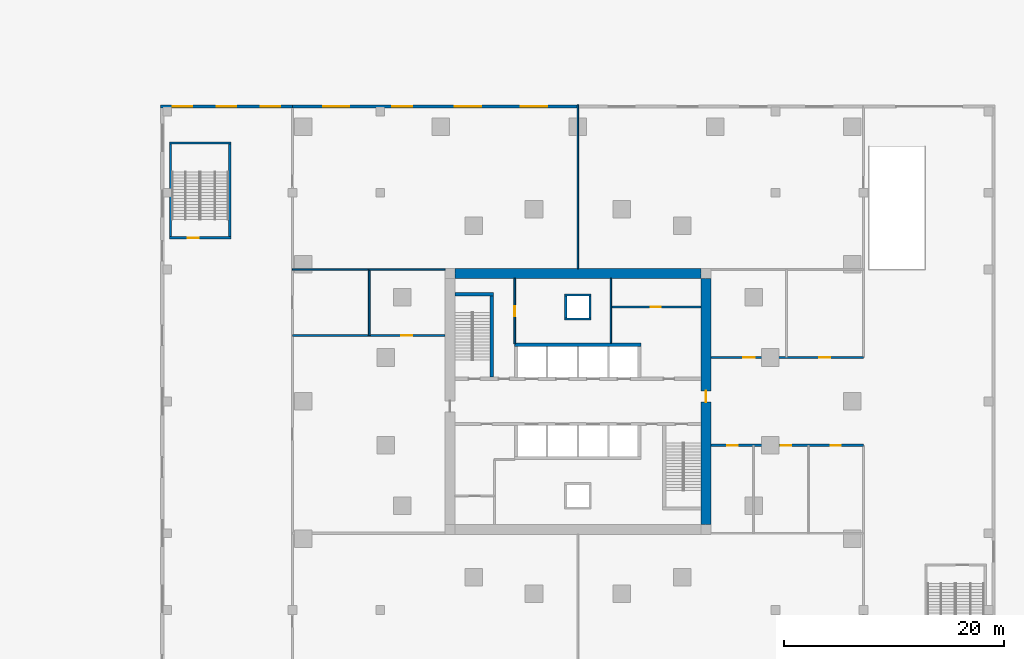
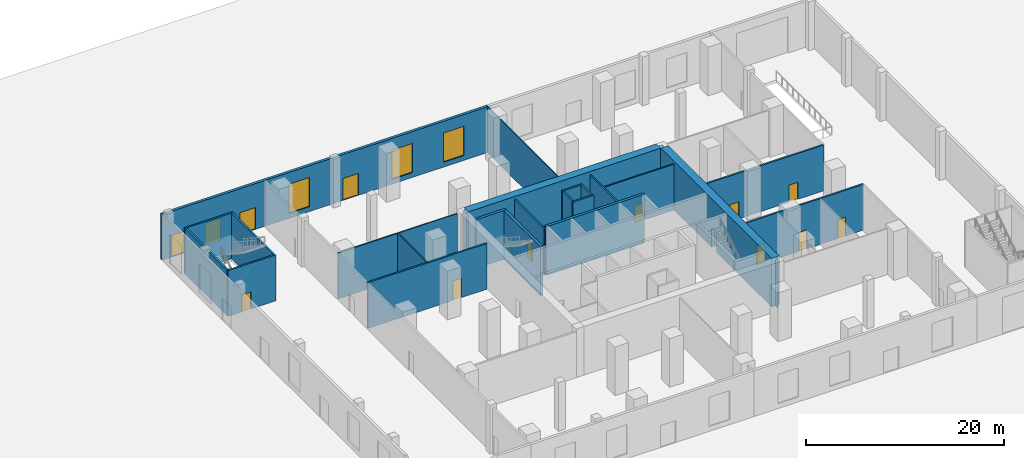
# One storey, part 4 of 8: 25 walls, 14 doors, 3 windows, 17 openings.
"""IFC4 building model written with IfcOpenShell, lengths in metres."""

from ifc_helpers import new_model, si_unit, direction, frame, frame_2d, origin, place, context, subcontext, project, spatial, polyline, rectangle, outline, extrude, material, layer, layer_set, type_object, element, fill, save


model = new_model("IFC4")

# Units and contexts
model_context = context("Model", 3, precision=1e-05, world=origin(), true_north=direction((0.0, 1.0)))
body_context = subcontext(model_context, "Body", "Model", "MODEL_VIEW")
ifc_project = project(units=[si_unit("LENGTHUNIT", "METRE"), si_unit("AREAUNIT", "SQUARE_METRE"), si_unit("VOLUMEUNIT", "CUBIC_METRE"), si_unit("PLANEANGLEUNIT", "RADIAN"), si_unit("MASSUNIT", "GRAM", prefix="KILO")], contexts=[model_context])

# Site, building, storey
site_placement = place(None, origin())
site = spatial("IfcSite", under=ifc_project, at=site_placement, CompositionType="ELEMENT")
building_placement = place(site_placement, origin())
building = spatial("IfcBuilding", under=site, at=building_placement, Name="Torsade Residences", CompositionType="ELEMENT")
storey_placement = place(building_placement, origin())
storey = spatial("IfcBuildingStorey", under=building, at=storey_placement, Name="L00", CompositionType="ELEMENT", Elevation=0.0)

# Walls
ifc_material_1 = material(Name="Concrete 80 MPa", Category="concrete")
ifc_layer_1 = layer(ifc_material_1, 0.300048828125)
ifc_layer_set_1 = layer_set([ifc_layer_1], Name="Concrete 80 MPa")
wall_type_1 = type_object("IfcWallType", Name="CORE INTERNAL WALL 300", PredefinedType="SHEAR", material=ifc_layer_set_1)
wall_1_placement = place(storey_placement, frame((34.25, 35.14990234375, 0.0), z_axis=(0.0, 0.0, 1.0), x_axis=(1.0, 0.0, 0.0)))
element("IfcWall", 1, at=wall_1_placement, inside=storey, type_object=wall_type_1, Name="Core wall BN L00", PredefinedType="SHEAR", context=body_context, shape_type="SweptSolid", body=[
    extrude(rectangle(XDim=11.5, YDim=0.300048828125, at=frame_2d((5.75, 0.0))), origin(), (0.0, 0.0, 1.0), 6.0),
])
wall_2_placement = place(storey_placement, frame((32.14990234375, 32.199951171875, 0.0), z_axis=(0.0, 0.0, 1.0), x_axis=(0.0, 1.0, 0.0)))
element("IfcWall", 2, at=wall_2_placement, inside=storey, type_object=wall_type_1, Name="Core wall ST1E L00", PredefinedType="SHEAR", context=body_context, shape_type="SweptSolid", body=[
    extrude(rectangle(XDim=7.699951171875, YDim=0.300048828125, at=frame_2d((3.85009765625, 0.0))), origin(), (0.0, 0.0, 1.0), 6.0),
])
wall_3_placement = place(storey_placement, frame((28.800048828125, 39.75, 0.0), z_axis=(0.0, 0.0, 1.0), x_axis=(1.0, 0.0, 0.0)))
element("IfcWall", 3, at=wall_3_placement, inside=storey, type_object=wall_type_1, Name="Core wall ST1N L00", PredefinedType="SHEAR", context=body_context, shape_type="SweptSolid", body=[
    extrude(rectangle(XDim=3.5, YDim=0.300048828125, at=frame_2d((1.75, 0.0))), origin(), (0.0, 0.0, 1.0), 6.0),
])
ifc_material_2 = material(Name="Concrete 80 MPa", Category="concrete")
ifc_layer_2 = layer(ifc_material_2, 0.89990234375)
ifc_layer_set_2 = layer_set([ifc_layer_2], Name="Concrete 80 MPa")
wall_type_2 = type_object("IfcWallType", Name="CORE WALL 900", PredefinedType="SHEAR", material=ifc_layer_set_2)
wall_4_placement = place(storey_placement, frame((28.800048828125, 41.64990234375, 0.0), z_axis=(0.0, 0.0, 1.0), x_axis=(1.0, 0.0, 0.0)))
element("IfcWall", 4, at=wall_4_placement, inside=storey, type_object=wall_type_2, Name="Core wall N L00", PredefinedType="SHEAR", context=body_context, shape_type="SweptSolid", body=[
    extrude(outline(polyline([(0.0, -0.449951171875), (22.39990234375, -0.449951171875), (22.39990234375, -0.02490234375), (22.849853515625, -0.02490234375), (22.849853515625, 0.02490234375), (22.39990234375, 0.02490234375), (22.39990234375, 0.449951171875), (0.0, 0.449951171875), (0.0, 0.02490234375), (-0.449951171875, 0.02490234375), (-0.449951171875, -0.02490234375), (0.0, -0.02490234375), (0.0, -0.449951171875)])), origin(), (0.0, 0.0, 1.0), 6.0),
])

# Wall, opening, door
wall_5_placement = place(storey_placement, frame((51.64990234375, 18.800048828125, 0.0), z_axis=(0.0, 0.0, 1.0), x_axis=(0.0, 1.0, 0.0)))
wall_5 = element("IfcWall", 5, at=wall_5_placement, inside=storey, type_object=wall_type_2, Name="Core wall E L00", PredefinedType="SHEAR", context=body_context, shape_type="SweptSolid", body=[
    extrude(outline(polyline([(0.0, -0.449951171875), (22.39990234375, -0.449951171875), (22.39990234375, -0.02490234375), (22.849853515625, -0.02490234375), (22.849853515625, 0.02490234375), (22.39990234375, 0.02490234375), (22.39990234375, 0.449951171875), (0.0, 0.449951171875), (0.0, 0.02490234375), (-0.449951171875, 0.02490234375), (-0.449951171875, -0.02490234375), (0.0, -0.02490234375), (0.0, -0.449951171875)])), origin(), (0.0, 0.0, 1.0), 6.0),
])
opening_1_placement = place(wall_5_placement, frame((11.139892578125, 0.0, 0.0)))
opening_1 = element("IfcOpeningElement", 6, at=opening_1_placement, cuts=wall_5, Name="Opening D04", PredefinedType="OPENING", context=body_context, shape_type="SweptSolid", body=[
    extrude(rectangle(XDim=1.02001953125, YDim=2.39990234375, at=frame_2d((0.510009765625, 1.199951171875))), frame((0.0, 0.4599609375, 0.0), z_axis=(0.0, -1.0, 0.0), x_axis=(1.0, 0.0, 0.0)), (0.0, 0.0, 1.0), 0.919921875),
])
ifc_material_3 = material(Name="Steel-framed fire door", Category="steel")
door_type_1 = type_object("IfcDoorType", Name="LOBBY SMOKE DOOR 1020x2400", OperationType="NOTDEFINED", PredefinedType="DOOR", material=ifc_material_3)
door_1_placement = place(opening_1_placement, origin())
door_1 = element("IfcDoor", 7, at=door_1_placement, inside=storey, type_object=door_type_1, Name="Lift lobby door E L00", OperationType="SINGLE_SWING_LEFT", OverallHeight=2.39990234375, OverallWidth=1.02001953125, PredefinedType="DOOR", context=body_context, shape_type="SweptSolid", body=[
    extrude(rectangle(XDim=1.02001953125, YDim=2.39990234375, at=frame_2d((0.510009765625, 1.199951171875))), frame((0.0, 0.02490234375, 0.0), z_axis=(0.0, -1.0, 0.0), x_axis=(1.0, 0.0, 0.0)), (0.0, 0.0, 1.0), 0.050048828125),
])
fill(opening_1, door_1)

ifc_material_4 = material(Name="Plasterboard on steel stud", Category="steel")
ifc_layer_3 = layer(ifc_material_4, 0.199951171875)
ifc_layer_set_3 = layer_set([ifc_layer_3], Name="Plasterboard on steel stud")
wall_type_3 = type_object("IfcWallType", Name="CORRIDOR WALL 200", PredefinedType="PARTITIONING", material=ifc_layer_set_3)
wall_6_placement = place(storey_placement, frame((14.0, 36.0, 0.0), z_axis=(0.0, 0.0, 1.0), x_axis=(1.0, 0.0, 0.0)))
wall_6 = element("IfcWall", 8, at=wall_6_placement, inside=storey, type_object=wall_type_3, Name="Corridor wall L00", PredefinedType="PARTITIONING", context=body_context, shape_type="SweptSolid", body=[
    extrude(rectangle(XDim=13.89990234375, YDim=0.199951171875, at=frame_2d((6.949951171875, 0.0))), origin(), (0.0, 0.0, 1.0), 5.64990234375),
])
opening_2_placement = place(wall_6_placement, frame((9.9150390625, 0.0, 0.0)))
opening_2 = element("IfcOpeningElement", 9, at=opening_2_placement, cuts=wall_6, Name="Opening D04", PredefinedType="OPENING", context=body_context, shape_type="SweptSolid", body=[
    extrude(rectangle(XDim=1.02001953125, YDim=2.39990234375, at=frame_2d((0.510009765625, 1.199951171875))), frame((0.0, 0.10986328125, 0.0), z_axis=(0.0, -1.0, 0.0), x_axis=(1.0, 0.0, 0.0)), (0.0, 0.0, 1.0), 0.219970703125),
])
door_2_placement = place(opening_2_placement, origin())
door_2 = element("IfcDoor", 10, at=door_2_placement, inside=storey, type_object=door_type_1, Name="Door Residential lobby to Mail room", OperationType="SINGLE_SWING_LEFT", OverallHeight=2.39990234375, OverallWidth=1.02001953125, PredefinedType="DOOR", context=body_context, shape_type="SweptSolid", body=[
    extrude(rectangle(XDim=1.02001953125, YDim=2.39990234375, at=frame_2d((0.510009765625, 1.199951171875))), frame((0.0, 0.02490234375, 0.0), z_axis=(0.0, -1.0, 0.0), x_axis=(1.0, 0.0, 0.0)), (0.0, 0.0, 1.0), 0.050048828125),
])
fill(opening_2, door_2)

# Wall, openings, doors
wall_7_placement = place(storey_placement, frame((66.0, 26.0, 0.0), z_axis=(0.0, 0.0, 1.0), x_axis=(-1.0, 0.0, 0.0)))
wall_7 = element("IfcWall", 11, at=wall_7_placement, inside=storey, type_object=wall_type_3, Name="Corridor wall L00", PredefinedType="PARTITIONING", context=body_context, shape_type="SweptSolid", body=[
    extrude(rectangle(XDim=13.89990234375, YDim=0.199951171875, at=frame_2d((6.949951171875, 0.0))), origin(), (0.0, 0.0, 1.0), 5.64990234375),
])
opening_3_placement = place(wall_7_placement, frame((6.590087890625, 0.0, 0.0)))
opening_3 = element("IfcOpeningElement", 12, at=opening_3_placement, cuts=wall_7, Name="Opening D02", PredefinedType="OPENING", context=body_context, shape_type="SweptSolid", body=[
    extrude(rectangle(XDim=0.919921875, YDim=2.340087890625, at=frame_2d((0.4599609375, 1.169921875))), frame((0.0, 0.10986328125, 0.0), z_axis=(0.0, -1.0, 0.0), x_axis=(1.0, 0.0, 0.0)), (0.0, 0.0, 1.0), 0.219970703125),
])
opening_4_placement = place(wall_7_placement, frame((2.06494140625, 0.0, 0.0)))
opening_4 = element("IfcOpeningElement", 13, at=opening_4_placement, cuts=wall_7, Name="Opening D02", PredefinedType="OPENING", context=body_context, shape_type="SweptSolid", body=[
    extrude(rectangle(XDim=0.919921875, YDim=2.340087890625, at=frame_2d((0.4599609375, 1.169921875))), frame((0.0, 0.10986328125, 0.0), z_axis=(0.0, -1.0, 0.0), x_axis=(1.0, 0.0, 0.0)), (0.0, 0.0, 1.0), 0.219970703125),
])
opening_5_placement = place(wall_7_placement, frame((11.465087890625, 0.0, 0.0)))
opening_5 = element("IfcOpeningElement", 14, at=opening_5_placement, cuts=wall_7, Name="Opening D02", PredefinedType="OPENING", context=body_context, shape_type="SweptSolid", body=[
    extrude(rectangle(XDim=0.919921875, YDim=2.340087890625, at=frame_2d((0.4599609375, 1.169921875))), frame((0.0, 0.10986328125, 0.0), z_axis=(0.0, -1.0, 0.0), x_axis=(1.0, 0.0, 0.0)), (0.0, 0.0, 1.0), 0.219970703125),
])
ifc_material_5 = material(Name="Hollow-core timber door", Category="wood")
door_type_2 = type_object("IfcDoorType", Name="INTERNAL DOOR 920x2340", OperationType="NOTDEFINED", PredefinedType="DOOR", material=ifc_material_5)
door_3_placement = place(opening_3_placement, origin())
door_3 = element("IfcDoor", 15, at=door_3_placement, inside=storey, type_object=door_type_2, Name="Door Back-of-house corridor to Female WC", OperationType="SINGLE_SWING_RIGHT", OverallHeight=2.340087890625, OverallWidth=0.919921875, PredefinedType="DOOR", context=body_context, shape_type="SweptSolid", body=[
    extrude(rectangle(XDim=0.919921875, YDim=2.340087890625, at=frame_2d((0.4599609375, 1.169921875))), frame((0.0, 0.02490234375, 0.0), z_axis=(0.0, -1.0, 0.0), x_axis=(1.0, 0.0, 0.0)), (0.0, 0.0, 1.0), 0.050048828125),
])
fill(opening_3, door_3)
door_4_placement = place(opening_4_placement, origin())
door_4 = element("IfcDoor", 16, at=door_4_placement, inside=storey, type_object=door_type_2, Name="Door Back-of-house corridor to Male WC", OperationType="SINGLE_SWING_RIGHT", OverallHeight=2.340087890625, OverallWidth=0.919921875, PredefinedType="DOOR", context=body_context, shape_type="SweptSolid", body=[
    extrude(rectangle(XDim=0.919921875, YDim=2.340087890625, at=frame_2d((0.4599609375, 1.169921875))), frame((0.0, 0.02490234375, 0.0), z_axis=(0.0, -1.0, 0.0), x_axis=(1.0, 0.0, 0.0)), (0.0, 0.0, 1.0), 0.050048828125),
])
fill(opening_4, door_4)
door_5_placement = place(opening_5_placement, origin())
door_5 = element("IfcDoor", 17, at=door_5_placement, inside=storey, type_object=door_type_2, Name="Door Back-of-house corridor to Accessible WC", OperationType="SINGLE_SWING_LEFT", OverallHeight=2.340087890625, OverallWidth=0.919921875, PredefinedType="DOOR", context=body_context, shape_type="SweptSolid", body=[
    extrude(rectangle(XDim=0.919921875, YDim=2.340087890625, at=frame_2d((0.4599609375, 1.169921875))), frame((0.0, 0.02490234375, 0.0), z_axis=(0.0, -1.0, 0.0), x_axis=(1.0, 0.0, 0.0)), (0.0, 0.0, 1.0), 0.050048828125),
])
fill(opening_5, door_5)

wall_8_placement = place(storey_placement, frame((52.10009765625, 34.0, 0.0), z_axis=(0.0, 0.0, 1.0), x_axis=(1.0, 0.0, 0.0)))
wall_8 = element("IfcWall", 18, at=wall_8_placement, inside=storey, type_object=wall_type_3, Name="Corridor wall L00", PredefinedType="PARTITIONING", context=body_context, shape_type="SweptSolid", body=[
    extrude(rectangle(XDim=13.89990234375, YDim=0.199951171875, at=frame_2d((6.949951171875, 0.0))), origin(), (0.0, 0.0, 1.0), 5.64990234375),
])
opening_6_placement = place(wall_8_placement, frame((9.864990234375, 0.0, 0.0)))
opening_6 = element("IfcOpeningElement", 19, at=opening_6_placement, cuts=wall_8, Name="Opening D03", PredefinedType="OPENING", context=body_context, shape_type="SweptSolid", body=[
    extrude(rectangle(XDim=1.02001953125, YDim=2.10009765625, at=frame_2d((0.510009765625, 1.050048828125))), frame((0.0, 0.10986328125, 0.0), z_axis=(0.0, -1.0, 0.0), x_axis=(1.0, 0.0, 0.0)), (0.0, 0.0, 1.0), 0.219970703125),
])
opening_7_placement = place(wall_8_placement, frame((2.965087890625, 0.0, 0.0)))
opening_7 = element("IfcOpeningElement", 20, at=opening_7_placement, cuts=wall_8, Name="Opening D03", PredefinedType="OPENING", context=body_context, shape_type="SweptSolid", body=[
    extrude(rectangle(XDim=1.02001953125, YDim=2.10009765625, at=frame_2d((0.510009765625, 1.050048828125))), frame((0.0, 0.10986328125, 0.0), z_axis=(0.0, -1.0, 0.0), x_axis=(1.0, 0.0, 0.0)), (0.0, 0.0, 1.0), 0.219970703125),
])
ifc_material_6 = material(Name="Steel-framed fire door", Category="steel")
door_type_3 = type_object("IfcDoorType", Name="FIRE DOOR 1020", OperationType="NOTDEFINED", PredefinedType="DOOR", material=ifc_material_6)
door_6_placement = place(opening_6_placement, origin())
door_6 = element("IfcDoor", 21, at=door_6_placement, inside=storey, type_object=door_type_3, Name="Door Back-of-house corridor to Main switch room", OperationType="SINGLE_SWING_LEFT", OverallHeight=2.10009765625, OverallWidth=1.02001953125, PredefinedType="DOOR", context=body_context, shape_type="SweptSolid", body=[
    extrude(rectangle(XDim=1.02001953125, YDim=2.10009765625, at=frame_2d((0.510009765625, 1.050048828125))), frame((0.0, 0.02490234375, 0.0), z_axis=(0.0, -1.0, 0.0), x_axis=(1.0, 0.0, 0.0)), (0.0, 0.0, 1.0), 0.050048828125),
])
fill(opening_6, door_6)
door_7_placement = place(opening_7_placement, origin())
door_7 = element("IfcDoor", 22, at=door_7_placement, inside=storey, type_object=door_type_3, Name="Door Back-of-house corridor to Bin room", OperationType="SINGLE_SWING_RIGHT", OverallHeight=2.10009765625, OverallWidth=1.02001953125, PredefinedType="DOOR", context=body_context, shape_type="SweptSolid", body=[
    extrude(rectangle(XDim=1.02001953125, YDim=2.10009765625, at=frame_2d((0.510009765625, 1.050048828125))), frame((0.0, 0.02490234375, 0.0), z_axis=(0.0, -1.0, 0.0), x_axis=(1.0, 0.0, 0.0)), (0.0, 0.0, 1.0), 0.050048828125),
])
fill(opening_7, door_7)

# Walls
ifc_material_7 = material(Name="Plasterboard on steel stud", Category="steel")
ifc_layer_4 = layer(ifc_material_7, 0.1201171875)
ifc_layer_set_4 = layer_set([ifc_layer_4], Name="Plasterboard on steel stud")
wall_type_4 = type_object("IfcWallType", Name="PARTITION 120", PredefinedType="PARTITIONING", material=ifc_layer_set_4)
wall_9_placement = place(storey_placement, frame((21.0, 42.0, 0.0), z_axis=(0.0, 0.0, 1.0), x_axis=(1.0, 0.0, 0.0)))
element("IfcWall", 23, at=wall_9_placement, inside=storey, type_object=wall_type_4, Name="Partition L00", PredefinedType="PARTITIONING", context=body_context, shape_type="SweptSolid", body=[
    extrude(rectangle(XDim=6.89990234375, YDim=0.1201171875, at=frame_2d((3.449951171875, 0.0))), origin(), (0.0, 0.0, 1.0), 5.64990234375),
])
wall_10_placement = place(storey_placement, frame((40.0, 57.0, 0.0), z_axis=(0.0, 0.0, 1.0), x_axis=(0.0, -1.0, 0.0)))
element("IfcWall", 24, at=wall_10_placement, inside=storey, type_object=wall_type_4, Name="Partition L00", PredefinedType="PARTITIONING", context=body_context, shape_type="SweptSolid", body=[
    extrude(rectangle(XDim=14.89990234375, YDim=0.1201171875, at=frame_2d((7.449951171875, 0.0))), origin(), (0.0, 0.0, 1.0), 5.64990234375),
])

# Wall, opening, door
ifc_material_8 = material(Name="Reinforced blockwork", Category="masonry")
ifc_layer_5 = layer(ifc_material_8, 0.199951171875)
ifc_layer_set_5 = layer_set([ifc_layer_5], Name="Reinforced blockwork")
wall_type_5 = type_object("IfcWallType", Name="PODIUM STAIR ENCLOSURE WALL 200", PredefinedType="SOLIDWALL", material=ifc_layer_set_5)
wall_11_placement = place(storey_placement, frame((2.800048828125, 44.89990234375, 0.0), z_axis=(0.0, 0.0, 1.0), x_axis=(1.0, 0.0, 0.0)))
wall_11 = element("IfcWall", 25, at=wall_11_placement, inside=storey, type_object=wall_type_5, Name="Stair enclosure wall L00", PredefinedType="SOLIDWALL", context=body_context, shape_type="SweptSolid", body=[
    extrude(rectangle(XDim=5.599853515625, YDim=0.199951171875, at=frame_2d((2.7998046875, 0.0))), origin(), (0.0, 0.0, 1.0), 5.64990234375),
])
opening_8_placement = place(wall_11_placement, frame((1.6650390625, 0.0, 0.0)))
opening_8 = element("IfcOpeningElement", 26, at=opening_8_placement, cuts=wall_11, Name="Opening D03", PredefinedType="OPENING", context=body_context, shape_type="SweptSolid", body=[
    extrude(rectangle(XDim=1.02001953125, YDim=2.10009765625, at=frame_2d((0.510009765625, 1.050048828125))), frame((0.0, 0.10986328125, 0.0), z_axis=(0.0, -1.0, 0.0), x_axis=(1.0, 0.0, 0.0)), (0.0, 0.0, 1.0), 0.219970703125),
])
door_8_placement = place(opening_8_placement, origin())
door_8 = element("IfcDoor", 27, at=door_8_placement, inside=storey, type_object=door_type_3, Name="Exit door to fire-isolated stair ST3 L00", OperationType="SINGLE_SWING_LEFT", OverallHeight=2.10009765625, OverallWidth=1.02001953125, PredefinedType="DOOR", context=body_context, shape_type="SweptSolid", body=[
    extrude(rectangle(XDim=1.02001953125, YDim=2.10009765625, at=frame_2d((0.510009765625, 1.050048828125))), frame((0.0, 0.02490234375, 0.0), z_axis=(0.0, -1.0, 0.0), x_axis=(1.0, 0.0, 0.0)), (0.0, 0.0, 1.0), 0.050048828125),
])
fill(opening_8, door_8)

# Walls
wall_12_placement = place(storey_placement, frame((8.300048828125, 45.0, 0.0), z_axis=(0.0, 0.0, 1.0), x_axis=(0.0, 1.0, 0.0)))
element("IfcWall", 28, at=wall_12_placement, inside=storey, type_object=wall_type_5, Name="Stair enclosure wall L00", PredefinedType="SOLIDWALL", context=body_context, shape_type="SweptSolid", body=[
    extrude(rectangle(XDim=8.419921875, YDim=0.199951171875, at=frame_2d((4.2099609375, 0.0))), origin(), (0.0, 0.0, 1.0), 5.64990234375),
])
wall_13_placement = place(storey_placement, frame((8.39990234375, 53.52001953125, 0.0), z_axis=(0.0, 0.0, 1.0), x_axis=(-1.0, 0.0, 0.0)))
element("IfcWall", 29, at=wall_13_placement, inside=storey, type_object=wall_type_5, Name="Stair enclosure wall L00", PredefinedType="SOLIDWALL", context=body_context, shape_type="SweptSolid", body=[
    extrude(rectangle(XDim=5.599853515625, YDim=0.199951171875, at=frame_2d((2.7998046875, 0.0))), origin(), (0.0, 0.0, 1.0), 5.64990234375),
])
wall_14_placement = place(storey_placement, frame((2.89990234375, 53.419921875, 0.0), z_axis=(0.0, 0.0, 1.0), x_axis=(0.0, -1.0, 0.0)))
element("IfcWall", 30, at=wall_14_placement, inside=storey, type_object=wall_type_5, Name="Stair enclosure wall L00", PredefinedType="SOLIDWALL", context=body_context, shape_type="SweptSolid", body=[
    extrude(rectangle(XDim=8.419921875, YDim=0.199951171875, at=frame_2d((4.2099609375, 0.0))), origin(), (0.0, 0.0, 1.0), 5.64990234375),
])
ifc_material_9 = material(Name="Reinforced blockwork", Category="masonry")
ifc_layer_6 = layer(ifc_material_9, 0.199951171875)
ifc_layer_set_6 = layer_set([ifc_layer_6], Name="Reinforced blockwork")
wall_type_6 = type_object("IfcWallType", Name="RISER SHAFT WALL 200", PredefinedType="SOLIDWALL", material=ifc_layer_set_6)
for number, where, z_axis, x_axis, name in (
    (31, (38.89990234375, 37.60009765625, 0.0), (0.0, 0.0, 1.0), (0.0, 1.0, 0.0), "Core wall RS1a L00"),
    (32, (41.10009765625, 37.60009765625, 0.0), (0.0, 0.0, 1.0), (0.0, 1.0, 0.0), "Core wall RS1b L00"),
):
    element("IfcWall", number, at=place(storey_placement, frame(where, z_axis=z_axis, x_axis=x_axis)), inside=storey, type_object=wall_type_6, Name=name, PredefinedType="SOLIDWALL", context=body_context, shape_type="SweptSolid", body=[
        extrude(rectangle(XDim=2.0, YDim=0.199951171875, at=frame_2d((1.0, 0.0))), origin(), (0.0, 0.0, 1.0), 6.0),
    ])
for number, where, z_axis, x_axis, name in (
    (33, (38.800048828125, 37.5, 0.0), (0.0, 0.0, 1.0), (1.0, 0.0, 0.0), "Core wall RS1c L00"),
    (34, (38.800048828125, 39.699951171875, 0.0), (0.0, 0.0, 1.0), (1.0, 0.0, 0.0), "Core wall RS1d L00"),
):
    element("IfcWall", number, at=place(storey_placement, frame(where, z_axis=z_axis, x_axis=x_axis)), inside=storey, type_object=wall_type_6, Name=name, PredefinedType="SOLIDWALL", context=body_context, shape_type="SweptSolid", body=[
        extrude(rectangle(XDim=2.39990234375, YDim=0.199951171875, at=frame_2d((1.199951171875, 0.0))), origin(), (0.0, 0.0, 1.0), 6.0),
    ])

# Wall, opening, door
ifc_material_10 = material(Name="Reinforced blockwork", Category="masonry")
ifc_layer_7 = layer(ifc_material_10, 0.14990234375)
ifc_layer_set_7 = layer_set([ifc_layer_7], Name="Reinforced blockwork")
wall_type_7 = type_object("IfcWallType", Name="SERVICE ROOM WALL 150", PredefinedType="SOLIDWALL", material=ifc_layer_set_7)
wall_15_placement = place(storey_placement, frame((34.25, 41.199951171875, 0.0), z_axis=(0.0, 0.0, 1.0), x_axis=(0.0, -1.0, 0.0)))
wall_15 = element("IfcWall", 35, at=wall_15_placement, inside=storey, type_object=wall_type_7, Name="Service room wall L00", PredefinedType="SOLIDWALL", context=body_context, shape_type="SweptSolid", body=[
    extrude(rectangle(XDim=5.949951171875, YDim=0.14990234375, at=frame_2d((2.97509765625, 0.0))), origin(), (0.0, 0.0, 1.0), 5.64990234375),
])
opening_9_placement = place(wall_15_placement, frame((2.514892578125, 0.0, 0.0)))
opening_9 = element("IfcOpeningElement", 36, at=opening_9_placement, cuts=wall_15, Name="Opening D06", PredefinedType="OPENING", context=body_context, shape_type="SweptSolid", body=[
    extrude(rectangle(XDim=0.919921875, YDim=2.10009765625, at=frame_2d((0.4599609375, 1.050048828125))), frame((0.0, 0.0849609375, 0.0), z_axis=(0.0, -1.0, 0.0), x_axis=(1.0, 0.0, 0.0)), (0.0, 0.0, 1.0), 0.169921875),
])
ifc_material_11 = material(Name="Steel-framed fire door", Category="steel")
door_type_4 = type_object("IfcDoorType", Name="FIRE DOOR 920", OperationType="NOTDEFINED", PredefinedType="DOOR", material=ifc_material_11)
door_9_placement = place(opening_9_placement, origin())
door_9 = element("IfcDoor", 37, at=door_9_placement, inside=storey, type_object=door_type_4, Name="Door Meter store to Electrical riser room", OperationType="SINGLE_SWING_RIGHT", OverallHeight=2.10009765625, OverallWidth=0.919921875, PredefinedType="DOOR", context=body_context, shape_type="SweptSolid", body=[
    extrude(rectangle(XDim=0.919921875, YDim=2.10009765625, at=frame_2d((0.4599609375, 1.050048828125))), frame((0.0, 0.02490234375, 0.0), z_axis=(0.0, -1.0, 0.0), x_axis=(1.0, 0.0, 0.0)), (0.0, 0.0, 1.0), 0.050048828125),
])
fill(opening_9, door_9)

# Wall
wall_16_placement = place(storey_placement, frame((43.0, 41.199951171875, 0.0), z_axis=(0.0, 0.0, 1.0), x_axis=(0.0, -1.0, 0.0)))
element("IfcWall", 38, at=wall_16_placement, inside=storey, type_object=wall_type_7, Name="Service room wall L00", PredefinedType="SOLIDWALL", context=body_context, shape_type="SweptSolid", body=[
    extrude(rectangle(XDim=5.89990234375, YDim=0.14990234375, at=frame_2d((2.949951171875, 0.0))), origin(), (0.0, 0.0, 1.0), 5.64990234375),
])

# Wall, opening, door
wall_17_placement = place(storey_placement, frame((43.0, 38.60009765625, 0.0), z_axis=(0.0, 0.0, 1.0), x_axis=(1.0, 0.0, 0.0)))
wall_17 = element("IfcWall", 39, at=wall_17_placement, inside=storey, type_object=wall_type_7, Name="Service room wall L00", PredefinedType="SOLIDWALL", context=body_context, shape_type="SweptSolid", body=[
    extrude(rectangle(XDim=8.199951171875, YDim=0.14990234375, at=frame_2d((4.10009765625, 0.0))), origin(), (0.0, 0.0, 1.0), 5.64990234375),
])
opening_10_placement = place(wall_17_placement, frame((3.639892578125, 0.0, 0.0)))
opening_10 = element("IfcOpeningElement", 40, at=opening_10_placement, cuts=wall_17, Name="Opening D06", PredefinedType="OPENING", context=body_context, shape_type="SweptSolid", body=[
    extrude(rectangle(XDim=0.919921875, YDim=2.10009765625, at=frame_2d((0.4599609375, 1.050048828125))), frame((0.0, 0.0849609375, 0.0), z_axis=(0.0, -1.0, 0.0), x_axis=(1.0, 0.0, 0.0)), (0.0, 0.0, 1.0), 0.169921875),
])
door_10_placement = place(opening_10_placement, origin())
door_10 = element("IfcDoor", 41, at=door_10_placement, inside=storey, type_object=door_type_4, Name="Door Refuse room to Recycling room", OperationType="SINGLE_SWING_RIGHT", OverallHeight=2.10009765625, OverallWidth=0.919921875, PredefinedType="DOOR", context=body_context, shape_type="SweptSolid", body=[
    extrude(rectangle(XDim=0.919921875, YDim=2.10009765625, at=frame_2d((0.4599609375, 1.050048828125))), frame((0.0, 0.02490234375, 0.0), z_axis=(0.0, -1.0, 0.0), x_axis=(1.0, 0.0, 0.0)), (0.0, 0.0, 1.0), 0.050048828125),
])
fill(opening_10, door_10)

# Walls
wall_18_placement = place(storey_placement, frame((21.0, 42.0, 0.0), z_axis=(0.0, 0.0, 1.0), x_axis=(0.0, -1.0, 0.0)))
element("IfcWall", 42, at=wall_18_placement, inside=storey, type_object=wall_type_7, Name="Service room wall L00", PredefinedType="SOLIDWALL", context=body_context, shape_type="SweptSolid", body=[
    extrude(rectangle(XDim=6.0, YDim=0.14990234375, at=frame_2d((3.0, 0.0))), origin(), (0.0, 0.0, 1.0), 5.64990234375),
])
wall_19_placement = place(storey_placement, frame((14.0, 42.0, 0.0), z_axis=(0.0, 0.0, 1.0), x_axis=(1.0, 0.0, 0.0)))
element("IfcWall", 43, at=wall_19_placement, inside=storey, type_object=wall_type_7, Name="Service room wall L00", PredefinedType="SOLIDWALL", context=body_context, shape_type="SweptSolid", body=[
    extrude(rectangle(XDim=7.0, YDim=0.14990234375, at=frame_2d((3.5, 0.0))), origin(), (0.0, 0.0, 1.0), 5.64990234375),
])

# Wall, openings, door, windows
ifc_material_12 = material(Name="Sandstone on concrete 40 MPa", Category="masonry")
ifc_layer_8 = layer(ifc_material_12, 0.300048828125)
ifc_layer_set_8 = layer_set([ifc_layer_8], Name="Sandstone on concrete 40 MPa")
wall_type_8 = type_object("IfcWallType", Name="STONE-FACED SHOPFRONT WALL 300", PredefinedType="SOLIDWALL", material=ifc_layer_set_8)
wall_20_placement = place(storey_placement, frame((40.0, 56.85009765625, 0.0), z_axis=(0.0, 0.0, 1.0), x_axis=(-1.0, 0.0, 0.0)))
wall_20 = element("IfcWall", 44, at=wall_20_placement, inside=storey, type_object=wall_type_8, Name="Shopfront wall N3", PredefinedType="SOLIDWALL", context=body_context, shape_type="SweptSolid", body=[
    extrude(rectangle(XDim=26.0, YDim=0.300048828125, at=frame_2d((13.0, 0.0))), origin(), (0.0, 0.0, 1.0), 5.64990234375),
])
opening_11_placement = place(wall_20_placement, frame((2.800048828125, 0.0, 0.60009765625)))
opening_11 = element("IfcOpeningElement", 45, at=opening_11_placement, cuts=wall_20, Name="Opening W2", PredefinedType="OPENING", context=body_context, shape_type="SweptSolid", body=[
    extrude(rectangle(XDim=2.39990234375, YDim=3.60009765625, at=frame_2d((1.199951171875, 1.800048828125))), frame((0.0, 0.159912109375, 0.0), z_axis=(0.0, -1.0, 0.0), x_axis=(1.0, 0.0, 0.0)), (0.0, 0.0, 1.0), 0.320068359375),
])
opening_12_placement = place(wall_20_placement, frame((8.800048828125, 0.0, 0.60009765625)))
opening_12 = element("IfcOpeningElement", 46, at=opening_12_placement, cuts=wall_20, Name="Opening W2", PredefinedType="OPENING", context=body_context, shape_type="SweptSolid", body=[
    extrude(rectangle(XDim=2.39990234375, YDim=3.60009765625, at=frame_2d((1.199951171875, 1.800048828125))), frame((0.0, 0.159912109375, 0.0), z_axis=(0.0, -1.0, 0.0), x_axis=(1.0, 0.0, 0.0)), (0.0, 0.0, 1.0), 0.320068359375),
])
opening_13_placement = place(wall_20_placement, frame((15.10009765625, 0.0, 0.0)))
opening_13 = element("IfcOpeningElement", 47, at=opening_13_placement, cuts=wall_20, Name="Opening D20", PredefinedType="OPENING", context=body_context, shape_type="SweptSolid", body=[
    extrude(rectangle(XDim=1.800048828125, YDim=2.699951171875, at=frame_2d((0.89990234375, 1.35009765625))), frame((0.0, 0.159912109375, 0.0), z_axis=(0.0, -1.0, 0.0), x_axis=(1.0, 0.0, 0.0)), (0.0, 0.0, 1.0), 0.320068359375),
])
opening_14_placement = place(wall_20_placement, frame((20.800048828125, 0.0, 0.60009765625)))
opening_14 = element("IfcOpeningElement", 48, at=opening_14_placement, cuts=wall_20, Name="Opening W2", PredefinedType="OPENING", context=body_context, shape_type="SweptSolid", body=[
    extrude(rectangle(XDim=2.39990234375, YDim=3.60009765625, at=frame_2d((1.199951171875, 1.800048828125))), frame((0.0, 0.159912109375, 0.0), z_axis=(0.0, -1.0, 0.0), x_axis=(1.0, 0.0, 0.0)), (0.0, 0.0, 1.0), 0.320068359375),
])
ifc_material_13 = material(Name="Aluminium-framed glass door", Category="aluminium")
door_type_5 = type_object("IfcDoorType", Name="ENTRANCE DOOR PAIR 1800", OperationType="DOUBLE_DOOR_DOUBLE_SWING", PredefinedType="DOOR", material=ifc_material_13)
door_11_placement = place(opening_13_placement, origin())
door_11 = element("IfcDoor", 49, at=door_11_placement, inside=storey, type_object=door_type_5, Name="Shop entrance N3", OperationType="DOUBLE_DOOR_DOUBLE_SWING", OverallHeight=2.699951171875, OverallWidth=1.800048828125, PredefinedType="DOOR", context=body_context, shape_type="SweptSolid", body=[
    extrude(rectangle(XDim=1.800048828125, YDim=2.699951171875, at=frame_2d((0.89990234375, 1.35009765625))), frame((0.0, 0.02490234375, 0.0), z_axis=(0.0, -1.0, 0.0), x_axis=(1.0, 0.0, 0.0)), (0.0, 0.0, 1.0), 0.050048828125),
])
fill(opening_13, door_11)
ifc_material_14 = material(Name="Aluminium-framed glass window", Category="aluminium")
window_type = type_object("IfcWindowType", Name="SHOPFRONT WINDOW 2400", PartitioningType="SINGLE_PANEL", PredefinedType="WINDOW", material=ifc_material_14)
window_1_placement = place(opening_11_placement, origin())
window_1 = element("IfcWindow", 50, at=window_1_placement, inside=storey, type_object=window_type, Name="Shopfront window N3.1", OverallHeight=3.60009765625, OverallWidth=2.39990234375, PartitioningType="SINGLE_PANEL", PredefinedType="WINDOW", context=body_context, shape_type="SweptSolid", body=[
    extrude(rectangle(XDim=2.39990234375, YDim=3.60009765625, at=frame_2d((1.199951171875, 1.800048828125))), frame((0.0, 0.030029296875, 0.0), z_axis=(0.0, -1.0, 0.0), x_axis=(1.0, 0.0, 0.0)), (0.0, 0.0, 1.0), 0.06005859375),
])
fill(opening_11, window_1)
window_2_placement = place(opening_12_placement, origin())
window_2 = element("IfcWindow", 51, at=window_2_placement, inside=storey, type_object=window_type, Name="Shopfront window N3.2", OverallHeight=3.60009765625, OverallWidth=2.39990234375, PartitioningType="SINGLE_PANEL", PredefinedType="WINDOW", context=body_context, shape_type="SweptSolid", body=[
    extrude(rectangle(XDim=2.39990234375, YDim=3.60009765625, at=frame_2d((1.199951171875, 1.800048828125))), frame((0.0, 0.030029296875, 0.0), z_axis=(0.0, -1.0, 0.0), x_axis=(1.0, 0.0, 0.0)), (0.0, 0.0, 1.0), 0.06005859375),
])
fill(opening_12, window_2)
window_3_placement = place(opening_14_placement, origin())
window_3 = element("IfcWindow", 52, at=window_3_placement, inside=storey, type_object=window_type, Name="Shopfront window N3.4", OverallHeight=3.60009765625, OverallWidth=2.39990234375, PartitioningType="SINGLE_PANEL", PredefinedType="WINDOW", context=body_context, shape_type="SweptSolid", body=[
    extrude(rectangle(XDim=2.39990234375, YDim=3.60009765625, at=frame_2d((1.199951171875, 1.800048828125))), frame((0.0, 0.030029296875, 0.0), z_axis=(0.0, -1.0, 0.0), x_axis=(1.0, 0.0, 0.0)), (0.0, 0.0, 1.0), 0.06005859375),
])
fill(opening_14, window_3)

# Wall, openings, doors
wall_21_placement = place(storey_placement, frame((14.0, 56.85009765625, 0.0), z_axis=(0.0, 0.0, 1.0), x_axis=(-1.0, 0.0, 0.0)))
wall_21 = element("IfcWall", 53, at=wall_21_placement, inside=storey, type_object=wall_type_8, Name="Shopfront wall N4", PredefinedType="SOLIDWALL", context=body_context, shape_type="SweptSolid", body=[
    extrude(rectangle(XDim=12.0, YDim=0.300048828125, at=frame_2d((6.0, 0.0))), origin(), (0.0, 0.0, 1.0), 5.64990234375),
])
opening_15_placement = place(wall_21_placement, frame((1.10009765625, 0.0, 0.0)))
opening_15 = element("IfcOpeningElement", 54, at=opening_15_placement, cuts=wall_21, Name="Opening D20", PredefinedType="OPENING", context=body_context, shape_type="SweptSolid", body=[
    extrude(rectangle(XDim=1.800048828125, YDim=2.699951171875, at=frame_2d((0.89990234375, 1.35009765625))), frame((0.0, 0.159912109375, 0.0), z_axis=(0.0, -1.0, 0.0), x_axis=(1.0, 0.0, 0.0)), (0.0, 0.0, 1.0), 0.320068359375),
])
opening_16_placement = place(wall_21_placement, frame((5.10009765625, 0.0, 0.0)))
opening_16 = element("IfcOpeningElement", 55, at=opening_16_placement, cuts=wall_21, Name="Opening D20", PredefinedType="OPENING", context=body_context, shape_type="SweptSolid", body=[
    extrude(rectangle(XDim=1.800048828125, YDim=2.699951171875, at=frame_2d((0.89990234375, 1.35009765625))), frame((0.0, 0.159912109375, 0.0), z_axis=(0.0, -1.0, 0.0), x_axis=(1.0, 0.0, 0.0)), (0.0, 0.0, 1.0), 0.320068359375),
])
opening_17_placement = place(wall_21_placement, frame((9.10009765625, 0.0, 0.0)))
opening_17 = element("IfcOpeningElement", 56, at=opening_17_placement, cuts=wall_21, Name="Opening D20", PredefinedType="OPENING", context=body_context, shape_type="SweptSolid", body=[
    extrude(rectangle(XDim=1.800048828125, YDim=2.699951171875, at=frame_2d((0.89990234375, 1.35009765625))), frame((0.0, 0.159912109375, 0.0), z_axis=(0.0, -1.0, 0.0), x_axis=(1.0, 0.0, 0.0)), (0.0, 0.0, 1.0), 0.320068359375),
])
door_12_placement = place(opening_15_placement, origin())
door_12 = element("IfcDoor", 57, at=door_12_placement, inside=storey, type_object=door_type_5, Name="Concourse entrance N 1", OperationType="DOUBLE_DOOR_DOUBLE_SWING", OverallHeight=2.699951171875, OverallWidth=1.800048828125, PredefinedType="DOOR", context=body_context, shape_type="SweptSolid", body=[
    extrude(rectangle(XDim=1.800048828125, YDim=2.699951171875, at=frame_2d((0.89990234375, 1.35009765625))), frame((0.0, 0.02490234375, 0.0), z_axis=(0.0, -1.0, 0.0), x_axis=(1.0, 0.0, 0.0)), (0.0, 0.0, 1.0), 0.050048828125),
])
fill(opening_15, door_12)
door_13_placement = place(opening_16_placement, origin())
door_13 = element("IfcDoor", 58, at=door_13_placement, inside=storey, type_object=door_type_5, Name="Concourse entrance N 2", OperationType="DOUBLE_DOOR_DOUBLE_SWING", OverallHeight=2.699951171875, OverallWidth=1.800048828125, PredefinedType="DOOR", context=body_context, shape_type="SweptSolid", body=[
    extrude(rectangle(XDim=1.800048828125, YDim=2.699951171875, at=frame_2d((0.89990234375, 1.35009765625))), frame((0.0, 0.02490234375, 0.0), z_axis=(0.0, -1.0, 0.0), x_axis=(1.0, 0.0, 0.0)), (0.0, 0.0, 1.0), 0.050048828125),
])
fill(opening_16, door_13)
door_14_placement = place(opening_17_placement, origin())
door_14 = element("IfcDoor", 59, at=door_14_placement, inside=storey, type_object=door_type_5, Name="Concourse entrance N 3", OperationType="DOUBLE_DOOR_DOUBLE_SWING", OverallHeight=2.699951171875, OverallWidth=1.800048828125, PredefinedType="DOOR", context=body_context, shape_type="SweptSolid", body=[
    extrude(rectangle(XDim=1.800048828125, YDim=2.699951171875, at=frame_2d((0.89990234375, 1.35009765625))), frame((0.0, 0.02490234375, 0.0), z_axis=(0.0, -1.0, 0.0), x_axis=(1.0, 0.0, 0.0)), (0.0, 0.0, 1.0), 0.050048828125),
])
fill(opening_17, door_14)

save(model, "model.ifc")
